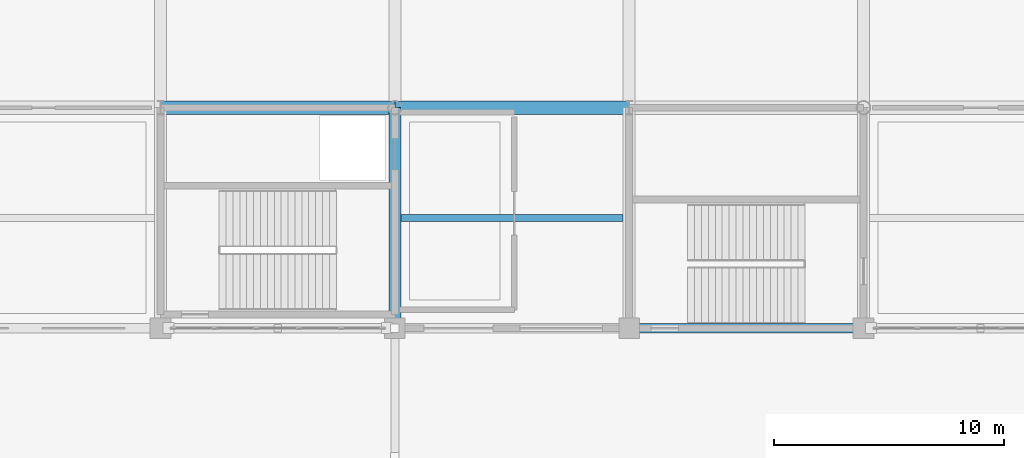
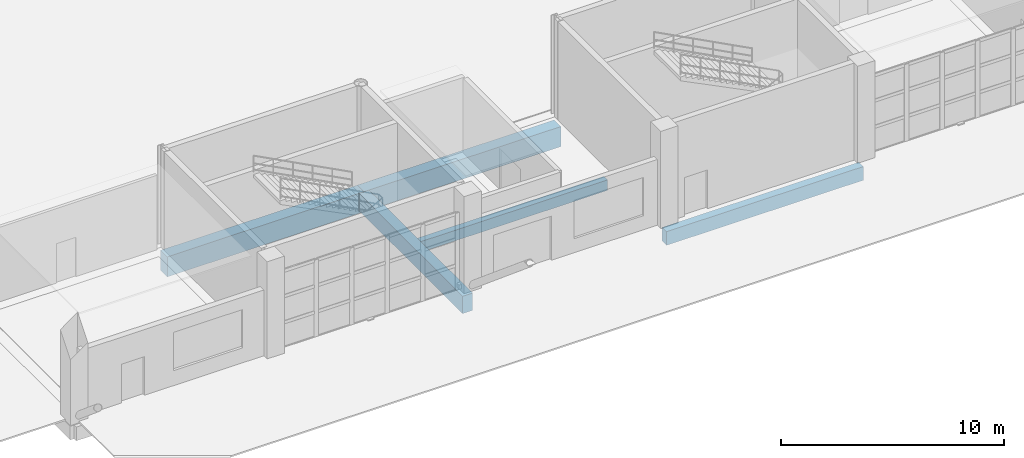
# One storey, part 25 of 124: 5 beams.
"""IFC4 building model written with IfcOpenShell, lengths in metres."""

from ifc_helpers import new_model, si_unit, direction, frame, origin, origin_2d, place, context, subcontext, project, spatial, rectangle, extrude, material, material_profile, profile_set, type_object, element, save


model = new_model("IFC4")

# Units and contexts
model_context = context("Model", 3, precision=1e-05, world=origin(), true_north=direction((0.0, 1.0)))
body_context = subcontext(model_context, "Body", "Model", "MODEL_VIEW")
ifc_project = project(units=[si_unit("LENGTHUNIT", "METRE"), si_unit("AREAUNIT", "SQUARE_METRE"), si_unit("VOLUMEUNIT", "CUBIC_METRE"), si_unit("PLANEANGLEUNIT", "RADIAN"), si_unit("MASSUNIT", "GRAM", prefix="KILO")], contexts=[model_context])

# Site, building, storey
site_placement = place(None, origin())
site = spatial("IfcSite", under=ifc_project, at=site_placement, CompositionType="ELEMENT")
building_placement = place(site_placement, origin())
building = spatial("IfcBuilding", under=site, at=building_placement, Name="Brelvane Convention Centre", CompositionType="ELEMENT")
storey_placement = place(building_placement, origin())
storey = spatial("IfcBuildingStorey", under=building, at=storey_placement, Name="L00", CompositionType="ELEMENT", Elevation=0.0)

# Beams
ifc_material_1 = material(Name="Concrete M50", Category="concrete")
ifc_material_profile_1 = material_profile(ifc_material_1, rectangle(XDim=0.60009765625, YDim=1.10009765625, at=origin_2d()), Name="RC 600x1100")
ifc_profile_set_1 = profile_set([ifc_material_profile_1], Name="Concrete M50")
beam_type_1 = type_object("IfcBeamType", Name="RC Beam B-RC2 (RC 600x1100)", PredefinedType="BEAM", material=ifc_profile_set_1)
beam_1_placement = place(storey_placement, frame((10.199951171875, 28.800048828125, -0.949951171875), z_axis=(1.0, 0.0, 0.0), x_axis=(0.0, 1.0, 0.0)))
element("IfcBeam", 1, at=beam_1_placement, inside=storey, type_object=beam_type_1, Name="L00 Beam 2-3/D", PredefinedType="BEAM", context=body_context, shape_type="SweptSolid", body=[
    extrude(rectangle(XDim=0.60009765625, YDim=1.10009765625, at=origin_2d()), origin(), (0.0, 0.0, 1.0), 10.199951171875),
])
beam_2_placement = place(storey_placement, frame((20.39990234375, 28.800048828125, -0.949951171875), z_axis=(1.0, 0.0, 0.0), x_axis=(0.0, 1.0, 0.0)))
element("IfcBeam", 2, at=beam_2_placement, inside=storey, type_object=beam_type_1, Name="L00 Beam 3-4/D", PredefinedType="BEAM", context=body_context, shape_type="SweptSolid", body=[
    extrude(rectangle(XDim=0.60009765625, YDim=1.10009765625, at=origin_2d()), origin(), (0.0, 0.0, 1.0), 10.2001953125),
])
ifc_material_2 = material(Name="Concrete M50", Category="concrete")
ifc_material_profile_2 = material_profile(ifc_material_2, rectangle(XDim=0.52001953125, YDim=0.949951171875, at=origin_2d()), Name="RC 520x950")
ifc_profile_set_2 = profile_set([ifc_material_profile_2], Name="Concrete M50")
beam_type_2 = type_object("IfcBeamType", Name="RC Beam B-RC9 (RC 520x950)", PredefinedType="BEAM", material=ifc_profile_set_2)
beam_3_placement = place(storey_placement, frame((20.39990234375, 19.199951171875, -0.875), z_axis=(0.0, 1.0, 0.0), x_axis=(-1.0, 0.0, 0.0)))
element("IfcBeam", 3, at=beam_3_placement, inside=storey, type_object=beam_type_2, Name="L00 Girder 3/C-D", PredefinedType="BEAM", context=body_context, shape_type="SweptSolid", body=[
    extrude(rectangle(XDim=0.52001953125, YDim=0.949951171875, at=origin_2d()), origin(), (0.0, 0.0, 1.0), 9.60009765625),
])
ifc_material_3 = material(Name="Concrete M40", Category="concrete")
ifc_material_profile_3 = material_profile(ifc_material_3, rectangle(XDim=0.320068359375, YDim=0.580078125, at=origin_2d()), Name="RC 320x580")
ifc_profile_set_3 = profile_set([ifc_material_profile_3], Name="Concrete M40")
beam_type_3 = type_object("IfcBeamType", Name="RC Joist J-RC3 (RC 320x580)", PredefinedType="JOIST", material=ifc_profile_set_3)
beam_4_placement = place(storey_placement, frame((20.659912109375, 24.0, -0.68994140625), z_axis=(1.0, 0.0, 0.0), x_axis=(0.0, 1.0, 0.0)))
element("IfcBeam", 4, at=beam_4_placement, inside=storey, type_object=beam_type_3, Name="L00 Secondary Joist 3-4/CD", PredefinedType="JOIST", context=body_context, shape_type="SweptSolid", body=[
    extrude(rectangle(XDim=0.320068359375, YDim=0.580078125, at=origin_2d()), origin(), (0.0, 0.0, 1.0), 9.68017578125),
])
ifc_material_4 = material(Name="Concrete M40", Category="concrete")
ifc_material_profile_4 = material_profile(ifc_material_4, rectangle(XDim=0.39990234375, YDim=0.75, at=origin_2d()), Name="RC 400x750")
ifc_profile_set_4 = profile_set([ifc_material_profile_4], Name="Concrete M40")
beam_type_4 = type_object("IfcBeamType", Name="RC Spandrel SP-RC1 (RC 400x750)", PredefinedType="SPANDREL", material=ifc_profile_set_4)
beam_5_placement = place(storey_placement, frame((30.60009765625, 19.199951171875, -0.77490234375), z_axis=(1.0, 0.0, 0.0), x_axis=(0.0, 1.0, 0.0)))
element("IfcBeam", 5, at=beam_5_placement, inside=storey, type_object=beam_type_4, Name="L00 Beam 4-5/C", PredefinedType="SPANDREL", context=body_context, shape_type="SweptSolid", body=[
    extrude(rectangle(XDim=0.39990234375, YDim=0.75, at=origin_2d()), origin(), (0.0, 0.0, 1.0), 10.199951171875),
])

save(model, "model.ifc")
